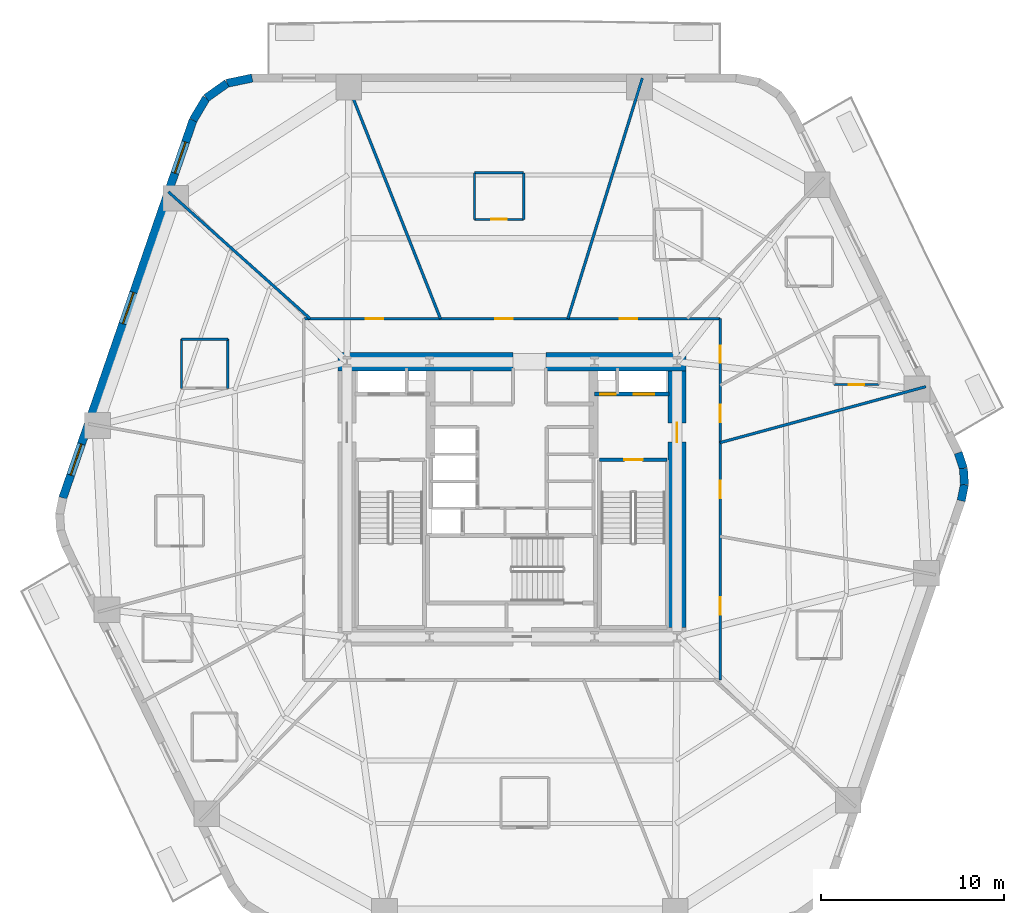
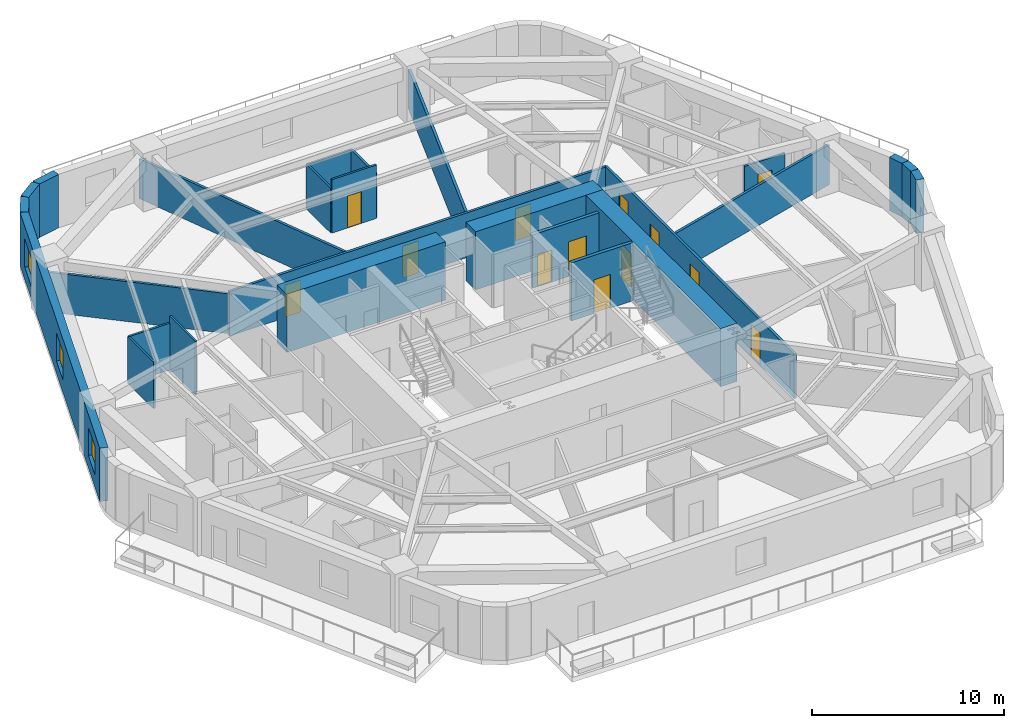
# One storey, part 5 of 10: 26 walls, 13 doors, 3 windows, 16 openings.
"""IFC4 building model written with IfcOpenShell, lengths in metres."""

from ifc_helpers import new_model, si_unit, direction, frame, frame_2d, origin, place, context, subcontext, project, spatial, rectangle, extrude, material, layer, layer_set, type_object, element, fill, save


model = new_model("IFC4")

# Units and contexts
model_context = context("Model", 3, precision=1e-05, world=origin(), true_north=direction((0.0, 1.0)))
body_context = subcontext(model_context, "Body", "Model", "MODEL_VIEW")
ifc_project = project(units=[si_unit("LENGTHUNIT", "METRE"), si_unit("AREAUNIT", "SQUARE_METRE"), si_unit("VOLUMEUNIT", "CUBIC_METRE"), si_unit("PLANEANGLEUNIT", "RADIAN"), si_unit("MASSUNIT", "GRAM", prefix="KILO")], contexts=[model_context])

# Site, building, storey
site_placement = place(None, origin())
site = spatial("IfcSite", under=ifc_project, at=site_placement, CompositionType="ELEMENT")
building_placement = place(site_placement, origin())
building = spatial("IfcBuilding", under=site, at=building_placement, Name="Kilnhurst Terrace Hotel", CompositionType="ELEMENT")
storey_placement = place(building_placement, frame((0.0, 0.0, 63.800048828125)))
storey = spatial("IfcBuildingStorey", under=building, at=storey_placement, Name="L14", CompositionType="ELEMENT", Elevation=63.800048828125)

# Walls
ifc_material_1 = material(Name="Precast concrete C40/50", Category="concrete")
ifc_layer_1 = layer(ifc_material_1, 0.449951171875, Name="Precast concrete C40/50")
ifc_layer_set_1 = layer_set([ifc_layer_1], Name="Precast concrete C40/50")
wall_type_1 = type_object("IfcWallType", Name="WL-BRK-450", PredefinedType="SOLIDWALL", material=ifc_layer_set_1)
wall_1_placement = place(storey_placement, frame((24.49560546875, -0.07666015625, 0.0), z_axis=(0.0, 0.0, 1.0), x_axis=(0.199570594521, 0.979883451132, 0.0)))
element("IfcWall", 1, at=wall_1_placement, inside=storey, type_object=wall_type_1, Name="L14 Rounded Corner Brick Wall C3.1", PredefinedType="SOLIDWALL", context=body_context, shape_type="SweptSolid", body=[
    extrude(rectangle(XDim=0.896728515625, YDim=0.449951171875, at=frame_2d((0.4482421875, 0.0))), origin(), (0.0, 0.0, 1.0), 3.39990234375),
])
wall_2_placement = place(storey_placement, frame((24.674560546875, 0.802001953125, 0.0), z_axis=(0.0, 0.0, 1.0), x_axis=(-0.061188874166, 0.998126205286, 0.0)))
element("IfcWall", 2, at=wall_2_placement, inside=storey, type_object=wall_type_1, Name="L14 Rounded Corner Brick Wall C3.2", PredefinedType="SOLIDWALL", context=body_context, shape_type="SweptSolid", body=[
    extrude(rectangle(XDim=0.8818359375, YDim=0.449951171875, at=frame_2d((0.44091796875, 0.0))), origin(), (0.0, 0.0, 1.0), 3.39990234375),
])
wall_3_placement = place(storey_placement, frame((24.62060546875, 1.68212890625, 0.0), z_axis=(0.0, 0.0, 1.0), x_axis=(-0.317697451681, 0.948192137278, 0.0)))
element("IfcWall", 3, at=wall_3_placement, inside=storey, type_object=wall_type_1, Name="L14 Rounded Corner Brick Wall C3.3", PredefinedType="SOLIDWALL", context=body_context, shape_type="SweptSolid", body=[
    extrude(rectangle(XDim=0.896728515625, YDim=0.449951171875, at=frame_2d((0.4482421875, 0.0))), origin(), (0.0, 0.0, 1.0), 3.39990234375),
])
wall_4_placement = place(storey_placement, frame((-14.168212890625, 22.97509765625, 0.0), z_axis=(0.0, 0.0, 1.0), x_axis=(-0.978770371074, -0.204959900243, 0.0)))
element("IfcWall", 4, at=wall_4_placement, inside=storey, type_object=wall_type_1, Name="L14 Rounded Corner Brick Wall C5.1", PredefinedType="SOLIDWALL", context=body_context, shape_type="SweptSolid", body=[
    extrude(rectangle(XDim=1.405517578125, YDim=0.449951171875, at=frame_2d((0.70263671875, 0.0))), origin(), (0.0, 0.0, 1.0), 3.39990234375),
])
wall_5_placement = place(storey_placement, frame((-15.5439453125, 22.68701171875, 0.0), z_axis=(0.0, 0.0, 1.0), x_axis=(-0.814210854316, -0.580569276412, 0.0)))
element("IfcWall", 5, at=wall_5_placement, inside=storey, type_object=wall_type_1, Name="L14 Rounded Corner Brick Wall C5.2", PredefinedType="SOLIDWALL", context=body_context, shape_type="SweptSolid", body=[
    extrude(rectangle(XDim=1.38134765625, YDim=0.449951171875, at=frame_2d((0.690673828125, 0.0))), origin(), (0.0, 0.0, 1.0), 3.39990234375),
])
wall_6_placement = place(storey_placement, frame((-16.668701171875, 21.885009765625, 0.0), z_axis=(0.0, 0.0, 1.0), x_axis=(-0.512936712947, -0.858426425799, 0.0)))
element("IfcWall", 6, at=wall_6_placement, inside=storey, type_object=wall_type_1, Name="L14 Rounded Corner Brick Wall C5.3", PredefinedType="SOLIDWALL", context=body_context, shape_type="SweptSolid", body=[
    extrude(rectangle(XDim=1.405517578125, YDim=0.449951171875, at=frame_2d((0.70263671875, 0.0))), origin(), (0.0, 0.0, 1.0), 3.39990234375),
])

# Wall, openings, windows
wall_7_placement = place(storey_placement, frame((-17.3896484375, 20.678466796875, 0.0), z_axis=(0.0, 0.0, 1.0), x_axis=(-0.326068018294, -0.945346310854, 0.0)))
wall_7 = element("IfcWall", 7, at=wall_7_placement, inside=storey, type_object=wall_type_1, Name="L14 Exterior Brick Facade Wall F5", PredefinedType="SOLIDWALL", context=body_context, shape_type="SweptSolid", body=[
    extrude(rectangle(XDim=21.79296875, YDim=0.449951171875, at=frame_2d((10.896484375, 0.0))), origin(), (0.0, 0.0, 1.0), 3.39990234375),
])
opening_1_placement = place(wall_7_placement, frame((1.260009765625, 0.0, 0.800048828125)))
opening_1 = element("IfcOpeningElement", 8, at=opening_1_placement, cuts=wall_7, Name="Opening W-01", PredefinedType="OPENING", context=body_context, shape_type="SweptSolid", body=[
    extrude(rectangle(XDim=1.800048828125, YDim=1.800048828125, at=frame_2d((0.89990234375, 0.89990234375))), frame((0.0, 0.23486328125, 0.0), z_axis=(0.0, -1.0, 0.0), x_axis=(1.0, 0.0, 0.0)), (0.0, 0.0, 1.0), 0.469970703125),
])
opening_2_placement = place(wall_7_placement, frame((9.943115234375, 0.0, 0.800048828125)))
opening_2 = element("IfcOpeningElement", 9, at=opening_2_placement, cuts=wall_7, Name="Opening W-01", PredefinedType="OPENING", context=body_context, shape_type="SweptSolid", body=[
    extrude(rectangle(XDim=1.800048828125, YDim=1.800048828125, at=frame_2d((0.89990234375, 0.89990234375))), frame((0.0, 0.23486328125, 0.0), z_axis=(0.0, -1.0, 0.0), x_axis=(1.0, 0.0, 0.0)), (0.0, 0.0, 1.0), 0.469970703125),
])
opening_3_placement = place(wall_7_placement, frame((18.679931640625, 0.0, 0.800048828125)))
opening_3 = element("IfcOpeningElement", 10, at=opening_3_placement, cuts=wall_7, Name="Opening W-01", PredefinedType="OPENING", context=body_context, shape_type="SweptSolid", body=[
    extrude(rectangle(XDim=1.800048828125, YDim=1.800048828125, at=frame_2d((0.89990234375, 0.89990234375))), frame((0.0, 0.23486328125, 0.0), z_axis=(0.0, -1.0, 0.0), x_axis=(1.0, 0.0, 0.0)), (0.0, 0.0, 1.0), 0.469970703125),
])
ifc_material_2 = material(Name="Thermally Broken Bronze Aluminium Alloy 6063-T6 and Low-E Glass", Category="aluminium")
window_type = type_object("IfcWindowType", Name="WIN-1800X1800", PartitioningType="SINGLE_PANEL", PredefinedType="WINDOW", material=ifc_material_2)
window_1_placement = place(opening_1_placement, origin())
window_1 = element("IfcWindow", 11, at=window_1_placement, inside=storey, type_object=window_type, Name="L14 Deep-Set Masonry Window F5.1", OverallHeight=1.800048828125, OverallWidth=1.800048828125, PartitioningType="SINGLE_PANEL", PredefinedType="WINDOW", context=body_context, shape_type="SweptSolid", body=[
    extrude(rectangle(XDim=1.800048828125, YDim=1.800048828125, at=frame_2d((0.89990234375, 0.89990234375))), frame((0.0, 0.030029296875, 0.0), z_axis=(0.0, -1.0, 0.0), x_axis=(1.0, 0.0, 0.0)), (0.0, 0.0, 1.0), 0.06005859375),
])
fill(opening_1, window_1)
window_2_placement = place(opening_2_placement, origin())
window_2 = element("IfcWindow", 12, at=window_2_placement, inside=storey, type_object=window_type, Name="L14 Deep-Set Masonry Window F5.2", OverallHeight=1.800048828125, OverallWidth=1.800048828125, PartitioningType="SINGLE_PANEL", PredefinedType="WINDOW", context=body_context, shape_type="SweptSolid", body=[
    extrude(rectangle(XDim=1.800048828125, YDim=1.800048828125, at=frame_2d((0.89990234375, 0.89990234375))), frame((0.0, 0.030029296875, 0.0), z_axis=(0.0, -1.0, 0.0), x_axis=(1.0, 0.0, 0.0)), (0.0, 0.0, 1.0), 0.06005859375),
])
fill(opening_2, window_2)
window_3_placement = place(opening_3_placement, origin())
window_3 = element("IfcWindow", 13, at=window_3_placement, inside=storey, type_object=window_type, Name="L14 Deep-Set Masonry Window F5.3", OverallHeight=1.800048828125, OverallWidth=1.800048828125, PartitioningType="SINGLE_PANEL", PredefinedType="WINDOW", context=body_context, shape_type="SweptSolid", body=[
    extrude(rectangle(XDim=1.800048828125, YDim=1.800048828125, at=frame_2d((0.89990234375, 0.89990234375))), frame((0.0, 0.030029296875, 0.0), z_axis=(0.0, -1.0, 0.0), x_axis=(1.0, 0.0, 0.0)), (0.0, 0.0, 1.0), 0.06005859375),
])
fill(opening_3, window_3)

# Wall, openings, doors
ifc_material_3 = material(Name="Acoustic Double-Gypsum Corridor Partition Assembly")
ifc_layer_2 = layer(ifc_material_3, 0.14990234375, Name="Acoustic Double-Gypsum Corridor Partition Assembly")
ifc_layer_set_2 = layer_set([ifc_layer_2], Name="Acoustic Double-Gypsum Corridor Partition Assembly")
wall_type_2 = type_object("IfcWallType", Name="WL-COR-150", PredefinedType="PARTITIONING", material=ifc_layer_set_2)
wall_8_placement = place(storey_placement, frame((-11.35009765625, 9.85009765625, 0.0), z_axis=(0.0, 0.0, 1.0), x_axis=(1.0, 0.0, 0.0)))
wall_8 = element("IfcWall", 14, at=wall_8_placement, inside=storey, type_object=wall_type_2, Name="L14 Interior Wall WL-L14-COR-02", PredefinedType="PARTITIONING", context=body_context, shape_type="SweptSolid", body=[
    extrude(rectangle(XDim=22.7001953125, YDim=0.14990234375, at=frame_2d((11.35009765625, 0.0))), origin(), (0.0, 0.0, 1.0), 2.83984375),
])
opening_4_placement = place(wall_8_placement, frame((17.22509765625, 0.0, 0.0)))
opening_4 = element("IfcOpeningElement", 15, at=opening_4_placement, cuts=wall_8, Name="Opening D-60B", PredefinedType="OPENING", context=body_context, shape_type="SweptSolid", body=[
    extrude(rectangle(XDim=0.949951171875, YDim=2.030029296875, at=frame_2d((0.47509765625, 1.01513671875))), frame((0.0, 0.0849609375, 0.0), z_axis=(0.0, -1.0, 0.0), x_axis=(1.0, 0.0, 0.0)), (0.0, 0.0, 1.0), 0.169921875),
])
opening_5_placement = place(wall_8_placement, frame((10.444091796875, 0.0, 0.0)))
opening_5 = element("IfcOpeningElement", 16, at=opening_5_placement, cuts=wall_8, Name="Opening D-60B", PredefinedType="OPENING", context=body_context, shape_type="SweptSolid", body=[
    extrude(rectangle(XDim=0.949951171875, YDim=2.030029296875, at=frame_2d((0.47509765625, 1.01513671875))), frame((0.0, 0.0849609375, 0.0), z_axis=(0.0, -1.0, 0.0), x_axis=(1.0, 0.0, 0.0)), (0.0, 0.0, 1.0), 0.169921875),
])
opening_6_placement = place(wall_8_placement, frame((3.368896484375, 0.0, 0.0)))
opening_6 = element("IfcOpeningElement", 17, at=opening_6_placement, cuts=wall_8, Name="Opening D-60B", PredefinedType="OPENING", context=body_context, shape_type="SweptSolid", body=[
    extrude(rectangle(XDim=0.949951171875, YDim=2.030029296875, at=frame_2d((0.47509765625, 1.01513671875))), frame((0.0, 0.0849609375, 0.0), z_axis=(0.0, -1.0, 0.0), x_axis=(1.0, 0.0, 0.0)), (0.0, 0.0, 1.0), 0.169921875),
])
ifc_material_4 = material(Name="Acoustic Walnut Veneer Solid-Core Fire Door")
door_type_1 = type_object("IfcDoorType", Name="DR-FD60-950", OperationType="NOTDEFINED", PredefinedType="DOOR", material=ifc_material_4)
door_1_placement = place(opening_4_placement, origin())
door_1 = element("IfcDoor", 18, at=door_1_placement, inside=storey, type_object=door_type_1, Name="L14 Executive Suite Entry Door 3", OperationType="SINGLE_SWING_LEFT", OverallHeight=2.030029296875, OverallWidth=0.949951171875, PredefinedType="DOOR", context=body_context, shape_type="SweptSolid", body=[
    extrude(rectangle(XDim=0.949951171875, YDim=2.030029296875, at=frame_2d((0.47509765625, 1.01513671875))), frame((0.0, 0.02490234375, 0.0), z_axis=(0.0, -1.0, 0.0), x_axis=(1.0, 0.0, 0.0)), (0.0, 0.0, 1.0), 0.050048828125),
])
fill(opening_4, door_1)
door_2_placement = place(opening_5_placement, origin())
door_2 = element("IfcDoor", 19, at=door_2_placement, inside=storey, type_object=door_type_1, Name="L14 Executive Suite Entry Door 4", OperationType="SINGLE_SWING_RIGHT", OverallHeight=2.030029296875, OverallWidth=0.949951171875, PredefinedType="DOOR", context=body_context, shape_type="SweptSolid", body=[
    extrude(rectangle(XDim=0.949951171875, YDim=2.030029296875, at=frame_2d((0.47509765625, 1.01513671875))), frame((0.0, 0.02490234375, 0.0), z_axis=(0.0, -1.0, 0.0), x_axis=(1.0, 0.0, 0.0)), (0.0, 0.0, 1.0), 0.050048828125),
])
fill(opening_5, door_2)
door_3_placement = place(opening_6_placement, origin())
door_3 = element("IfcDoor", 20, at=door_3_placement, inside=storey, type_object=door_type_1, Name="L14 Fitness Studio Door", OperationType="SINGLE_SWING_LEFT", OverallHeight=2.030029296875, OverallWidth=0.949951171875, PredefinedType="DOOR", context=body_context, shape_type="SweptSolid", body=[
    extrude(rectangle(XDim=0.949951171875, YDim=2.030029296875, at=frame_2d((0.47509765625, 1.01513671875))), frame((0.0, 0.02490234375, 0.0), z_axis=(0.0, -1.0, 0.0), x_axis=(1.0, 0.0, 0.0)), (0.0, 0.0, 1.0), 0.050048828125),
])
fill(opening_6, door_3)

wall_9_placement = place(storey_placement, frame((11.35009765625, 9.85009765625, 0.0), z_axis=(0.0, 0.0, 1.0), x_axis=(0.0, -1.0, 0.0)))
wall_9 = element("IfcWall", 21, at=wall_9_placement, inside=storey, type_object=wall_type_2, Name="L14 Interior Wall WL-L14-COR-03", PredefinedType="PARTITIONING", context=body_context, shape_type="SweptSolid", body=[
    extrude(rectangle(XDim=19.7001953125, YDim=0.14990234375, at=frame_2d((9.85009765625, 0.0))), origin(), (0.0, 0.0, 1.0), 2.83984375),
])
opening_7_placement = place(wall_9_placement, frame((4.7041015625, 0.0, 0.0)))
opening_7 = element("IfcOpeningElement", 22, at=opening_7_placement, cuts=wall_9, Name="Opening D-60B", PredefinedType="OPENING", context=body_context, shape_type="SweptSolid", body=[
    extrude(rectangle(XDim=0.949951171875, YDim=2.030029296875, at=frame_2d((0.47509765625, 1.01513671875))), frame((0.0, 0.0849609375, 0.0), z_axis=(0.0, -1.0, 0.0), x_axis=(1.0, 0.0, 0.0)), (0.0, 0.0, 1.0), 0.169921875),
])
opening_8_placement = place(wall_9_placement, frame((1.4619140625, 0.0, 0.0)))
opening_8 = element("IfcOpeningElement", 23, at=opening_8_placement, cuts=wall_9, Name="Opening D-60B", PredefinedType="OPENING", context=body_context, shape_type="SweptSolid", body=[
    extrude(rectangle(XDim=0.949951171875, YDim=2.030029296875, at=frame_2d((0.47509765625, 1.01513671875))), frame((0.0, 0.0849609375, 0.0), z_axis=(0.0, -1.0, 0.0), x_axis=(1.0, 0.0, 0.0)), (0.0, 0.0, 1.0), 0.169921875),
])
opening_9_placement = place(wall_9_placement, frame((15.19091796875, 0.0, 0.0)))
opening_9 = element("IfcOpeningElement", 24, at=opening_9_placement, cuts=wall_9, Name="Opening D-60B", PredefinedType="OPENING", context=body_context, shape_type="SweptSolid", body=[
    extrude(rectangle(XDim=0.949951171875, YDim=2.030029296875, at=frame_2d((0.47509765625, 1.01513671875))), frame((0.0, 0.0849609375, 0.0), z_axis=(0.0, -1.0, 0.0), x_axis=(1.0, 0.0, 0.0)), (0.0, 0.0, 1.0), 0.169921875),
])
opening_10_placement = place(wall_9_placement, frame((8.837890625, 0.0, 0.0)))
opening_10 = element("IfcOpeningElement", 25, at=opening_10_placement, cuts=wall_9, Name="Opening D-60B", PredefinedType="OPENING", context=body_context, shape_type="SweptSolid", body=[
    extrude(rectangle(XDim=0.949951171875, YDim=2.030029296875, at=frame_2d((0.47509765625, 1.01513671875))), frame((0.0, 0.0849609375, 0.0), z_axis=(0.0, -1.0, 0.0), x_axis=(1.0, 0.0, 0.0)), (0.0, 0.0, 1.0), 0.169921875),
])
door_4_placement = place(opening_7_placement, origin())
door_4 = element("IfcDoor", 26, at=door_4_placement, inside=storey, type_object=door_type_1, Name="L14 Guest Room Entry Door 1", OperationType="SINGLE_SWING_LEFT", OverallHeight=2.030029296875, OverallWidth=0.949951171875, PredefinedType="DOOR", context=body_context, shape_type="SweptSolid", body=[
    extrude(rectangle(XDim=0.949951171875, YDim=2.030029296875, at=frame_2d((0.47509765625, 1.01513671875))), frame((0.0, 0.02490234375, 0.0), z_axis=(0.0, -1.0, 0.0), x_axis=(1.0, 0.0, 0.0)), (0.0, 0.0, 1.0), 0.050048828125),
])
fill(opening_7, door_4)
door_5_placement = place(opening_8_placement, origin())
door_5 = element("IfcDoor", 27, at=door_5_placement, inside=storey, type_object=door_type_1, Name="L14 Guest Room Entry Door 2", OperationType="SINGLE_SWING_RIGHT", OverallHeight=2.030029296875, OverallWidth=0.949951171875, PredefinedType="DOOR", context=body_context, shape_type="SweptSolid", body=[
    extrude(rectangle(XDim=0.949951171875, YDim=2.030029296875, at=frame_2d((0.47509765625, 1.01513671875))), frame((0.0, 0.02490234375, 0.0), z_axis=(0.0, -1.0, 0.0), x_axis=(1.0, 0.0, 0.0)), (0.0, 0.0, 1.0), 0.050048828125),
])
fill(opening_8, door_5)
door_6_placement = place(opening_9_placement, origin())
door_6 = element("IfcDoor", 28, at=door_6_placement, inside=storey, type_object=door_type_1, Name="L14 Executive Suite Entry Door 13", OperationType="SINGLE_SWING_LEFT", OverallHeight=2.030029296875, OverallWidth=0.949951171875, PredefinedType="DOOR", context=body_context, shape_type="SweptSolid", body=[
    extrude(rectangle(XDim=0.949951171875, YDim=2.030029296875, at=frame_2d((0.47509765625, 1.01513671875))), frame((0.0, 0.02490234375, 0.0), z_axis=(0.0, -1.0, 0.0), x_axis=(1.0, 0.0, 0.0)), (0.0, 0.0, 1.0), 0.050048828125),
])
fill(opening_9, door_6)
door_7_placement = place(opening_10_placement, origin())
door_7 = element("IfcDoor", 29, at=door_7_placement, inside=storey, type_object=door_type_1, Name="L14 Club Tea Lounge Door", OperationType="SINGLE_SWING_RIGHT", OverallHeight=2.030029296875, OverallWidth=0.949951171875, PredefinedType="DOOR", context=body_context, shape_type="SweptSolid", body=[
    extrude(rectangle(XDim=0.949951171875, YDim=2.030029296875, at=frame_2d((0.47509765625, 1.01513671875))), frame((0.0, 0.02490234375, 0.0), z_axis=(0.0, -1.0, 0.0), x_axis=(1.0, 0.0, 0.0)), (0.0, 0.0, 1.0), 0.050048828125),
])
fill(opening_10, door_7)

# Walls
ifc_material_5 = material(Name="Concrete C80/95", Category="concrete")
ifc_layer_3 = layer(ifc_material_5, 1.0, Name="Concrete C80/95")
ifc_layer_set_3 = layer_set([ifc_layer_3], Name="Concrete C80/95")
wall_type_3 = type_object("IfcWallType", Name="WL-CORE-1000", PredefinedType="SHEAR", material=ifc_layer_set_3)
wall_10_placement = place(storey_placement, frame((-9.5, 7.5, 0.0), z_axis=(0.0, 0.0, 1.0), x_axis=(1.0, 0.0, 0.0)))
element("IfcWall", 30, at=wall_10_placement, inside=storey, type_object=wall_type_3, Name="L14 Core North West Shear Wall", PredefinedType="SHEAR", context=body_context, shape_type="SweptSolid", body=[
    extrude(rectangle(XDim=9.550048828125, YDim=1.0, at=frame_2d((4.77490234375, 0.0))), origin(), (0.0, 0.0, 1.0), 3.699951171875),
])
wall_11_placement = place(storey_placement, frame((1.85009765625, 7.5, 0.0), z_axis=(0.0, 0.0, 1.0), x_axis=(1.0, 0.0, 0.0)))
element("IfcWall", 31, at=wall_11_placement, inside=storey, type_object=wall_type_3, Name="L14 Core North East Shear Wall", PredefinedType="SHEAR", context=body_context, shape_type="SweptSolid", body=[
    extrude(rectangle(XDim=7.64990234375, YDim=1.0, at=frame_2d((3.824951171875, 0.0))), origin(), (0.0, 0.0, 1.0), 3.699951171875),
])

# Wall, opening, door
wall_12_placement = place(storey_placement, frame((9.0, -7.0, 0.0), z_axis=(0.0, 0.0, 1.0), x_axis=(0.0, 1.0, 0.0)))
wall_12 = element("IfcWall", 32, at=wall_12_placement, inside=storey, type_object=wall_type_3, Name="L14 Core East Shear Wall", PredefinedType="SHEAR", context=body_context, shape_type="SweptSolid", body=[
    extrude(rectangle(XDim=14.0, YDim=1.0, at=frame_2d((7.0, 0.0))), origin(), (0.0, 0.0, 1.0), 3.699951171875),
])
opening_11_placement = place(wall_12_placement, frame((10.125, 0.0, 0.0)))
opening_11 = element("IfcOpeningElement", 33, at=opening_11_placement, cuts=wall_12, Name="Opening D-90A", PredefinedType="OPENING", context=body_context, shape_type="SweptSolid", body=[
    extrude(rectangle(XDim=1.050048828125, YDim=2.14990234375, at=frame_2d((0.52490234375, 1.074951171875))), frame((0.0, 0.510009765625, 0.0), z_axis=(0.0, -1.0, 0.0), x_axis=(1.0, 0.0, 0.0)), (0.0, 0.0, 1.0), 1.02001953125),
])
ifc_material_6 = material(Name="Painted Hollow Metal Steel ASTM A36 Fire Door", Category="steel")
door_type_2 = type_object("IfcDoorType", Name="DR-FD90-1050", OperationType="NOTDEFINED", PredefinedType="DOOR", material=ifc_material_6)
door_8_placement = place(opening_11_placement, origin())
door_8 = element("IfcDoor", 34, at=door_8_placement, inside=storey, type_object=door_type_2, Name="L14 East Firefighting Lobby Door", OperationType="SINGLE_SWING_LEFT", OverallHeight=2.14990234375, OverallWidth=1.050048828125, PredefinedType="DOOR", context=body_context, shape_type="SweptSolid", body=[
    extrude(rectangle(XDim=1.050048828125, YDim=2.14990234375, at=frame_2d((0.52490234375, 1.074951171875))), frame((0.0, 0.02490234375, 0.0), z_axis=(0.0, -1.0, 0.0), x_axis=(1.0, 0.0, 0.0)), (0.0, 0.0, 1.0), 0.050048828125),
])
fill(opening_11, door_8)

# Walls
ifc_material_7 = material(Name="STC-58 Acoustic Twin-Frame Guestroom Demising Partition")
ifc_layer_4 = layer(ifc_material_7, 0.14990234375, Name="STC-58 Acoustic Twin-Frame Guestroom Demising Partition")
ifc_layer_set_4 = layer_set([ifc_layer_4], Name="STC-58 Acoustic Twin-Frame Guestroom Demising Partition")
wall_type_4 = type_object("IfcWallType", Name="WL-DEM-150", PredefinedType="PARTITIONING", material=ifc_layer_set_4)
wall_13_placement = place(storey_placement, frame((11.35009765625, 3.0908203125, 0.0), z_axis=(0.0, 0.0, 1.0), x_axis=(0.964859685283, 0.262765651704, 0.0)))
element("IfcWall", 35, at=wall_13_placement, inside=storey, type_object=wall_type_4, Name="L14 Interior Wall WL-L14-DEM-COL01-01-1", PredefinedType="PARTITIONING", context=body_context, shape_type="SweptSolid", body=[
    extrude(rectangle(XDim=11.62890625, YDim=0.14990234375, at=frame_2d((5.814453125, 0.0))), origin(), (0.0, 0.0, 1.0), 2.5400390625),
])
wall_14_placement = place(storey_placement, frame((3.047607421875, 9.85009765625, 0.0), z_axis=(0.0, 0.0, 1.0), x_axis=(0.295553992761, 0.955326037206, 0.0)))
element("IfcWall", 36, at=wall_14_placement, inside=storey, type_object=wall_type_4, Name="L14 Interior Wall WL-L14-DEM-COL03-04-1", PredefinedType="PARTITIONING", context=body_context, shape_type="SweptSolid", body=[
    extrude(rectangle(XDim=13.73876953125, YDim=0.14990234375, at=frame_2d((6.869384765625, 0.0))), origin(), (0.0, 0.0, 1.0), 2.5400390625),
])
wall_15_placement = place(storey_placement, frame((-3.90185546875, 9.85009765625, 0.0), z_axis=(0.0, 0.0, 1.0), x_axis=(-0.36828765711, 0.929711891728, 0.0)))
element("IfcWall", 37, at=wall_15_placement, inside=storey, type_object=wall_type_4, Name="L14 Interior Wall WL-L14-DEM-COL04-05-1", PredefinedType="PARTITIONING", context=body_context, shape_type="SweptSolid", body=[
    extrude(rectangle(XDim=14.1171875, YDim=0.14990234375, at=frame_2d((7.05859375, 0.0))), origin(), (0.0, 0.0, 1.0), 2.5400390625),
])
wall_16_placement = place(storey_placement, frame((-11.006591796875, 9.85009765625, 0.0), z_axis=(0.0, 0.0, 1.0), x_axis=(-0.745177305978, 0.666866390407, 0.0)))
element("IfcWall", 38, at=wall_16_placement, inside=storey, type_object=wall_type_4, Name="L14 Interior Wall WL-L14-DEM-COL05-06-1", PredefinedType="PARTITIONING", context=body_context, shape_type="SweptSolid", body=[
    extrude(rectangle(XDim=10.375244140625, YDim=0.14990234375, at=frame_2d((5.1875, 0.0))), origin(), (0.0, 0.0, 1.0), 2.5400390625),
])

# Wall, opening, door
ifc_material_8 = material(Name="120 mm Moisture-Resistant Tile-Backed Bathroom Partition")
ifc_layer_5 = layer(ifc_material_8, 0.1201171875, Name="120 mm Moisture-Resistant Tile-Backed Bathroom Partition")
ifc_layer_set_5 = layer_set([ifc_layer_5], Name="120 mm Moisture-Resistant Tile-Backed Bathroom Partition")
wall_type_5 = type_object("IfcWallType", Name="WL-PART-120", PredefinedType="PARTITIONING", material=ifc_layer_set_5)
wall_17_placement = place(storey_placement, frame((17.56689453125, 6.258056640625, 0.0), z_axis=(0.0, 0.0, 1.0), x_axis=(1.0, 0.0, 0.0)))
wall_17 = element("IfcWall", 39, at=wall_17_placement, inside=storey, type_object=wall_type_5, Name="L14 Interior Wall WL-L14-BTH-01-1", PredefinedType="PARTITIONING", context=body_context, shape_type="SweptSolid", body=[
    extrude(rectangle(XDim=2.440185546875, YDim=0.1201171875, at=frame_2d((1.22021484375, 0.0))), origin(), (0.0, 0.0, 1.0), 2.83984375),
])
opening_12_placement = place(wall_17_placement, frame((0.794921875, 0.0, 0.0)))
opening_12 = element("IfcOpeningElement", 40, at=opening_12_placement, cuts=wall_17, Name="Opening D-08A", PredefinedType="OPENING", context=body_context, shape_type="SweptSolid", body=[
    extrude(rectangle(XDim=0.85009765625, YDim=2.030029296875, at=frame_2d((0.425048828125, 1.01513671875))), frame((0.0, 0.070068359375, 0.0), z_axis=(0.0, -1.0, 0.0), x_axis=(1.0, 0.0, 0.0)), (0.0, 0.0, 1.0), 0.14013671875),
])
ifc_material_9 = material(Name="Moisture-Resistant Lacquered En-suite Bathroom Door")
door_type_3 = type_object("IfcDoorType", Name="DR-INT-850", OperationType="NOTDEFINED", PredefinedType="DOOR", material=ifc_material_9)
door_9_placement = place(opening_12_placement, origin())
door_9 = element("IfcDoor", 41, at=door_9_placement, inside=storey, type_object=door_type_3, Name="L14 En-suite Bathroom Door 1", OperationType="SINGLE_SWING_RIGHT", OverallHeight=2.030029296875, OverallWidth=0.85009765625, PredefinedType="DOOR", context=body_context, shape_type="SweptSolid", body=[
    extrude(rectangle(XDim=0.85009765625, YDim=2.030029296875, at=frame_2d((0.425048828125, 1.01513671875))), frame((0.0, 0.02490234375, 0.0), z_axis=(0.0, -1.0, 0.0), x_axis=(1.0, 0.0, 0.0)), (0.0, 0.0, 1.0), 0.050048828125),
])
fill(opening_12, door_9)

wall_18_placement = place(storey_placement, frame((-2.0419921875, 15.26708984375, 0.0), z_axis=(0.0, 0.0, 1.0), x_axis=(1.0, 0.0, 0.0)))
wall_18 = element("IfcWall", 42, at=wall_18_placement, inside=storey, type_object=wall_type_5, Name="L14 Interior Wall WL-L14-BTH-04-1", PredefinedType="PARTITIONING", context=body_context, shape_type="SweptSolid", body=[
    extrude(rectangle(XDim=2.679931640625, YDim=0.1201171875, at=frame_2d((1.33984375, 0.0))), origin(), (0.0, 0.0, 1.0), 3.39990234375),
])
opening_13_placement = place(wall_18_placement, frame((0.9150390625, 0.0, 0.0)))
opening_13 = element("IfcOpeningElement", 43, at=opening_13_placement, cuts=wall_18, Name="Opening D-08A", PredefinedType="OPENING", context=body_context, shape_type="SweptSolid", body=[
    extrude(rectangle(XDim=0.85009765625, YDim=2.030029296875, at=frame_2d((0.425048828125, 1.01513671875))), frame((0.0, 0.070068359375, 0.0), z_axis=(0.0, -1.0, 0.0), x_axis=(1.0, 0.0, 0.0)), (0.0, 0.0, 1.0), 0.14013671875),
])
door_10_placement = place(opening_13_placement, origin())
door_10 = element("IfcDoor", 44, at=door_10_placement, inside=storey, type_object=door_type_3, Name="L14 En-suite Bathroom Door 4", OperationType="SINGLE_SWING_LEFT", OverallHeight=2.030029296875, OverallWidth=0.85009765625, PredefinedType="DOOR", context=body_context, shape_type="SweptSolid", body=[
    extrude(rectangle(XDim=0.85009765625, YDim=2.030029296875, at=frame_2d((0.425048828125, 1.01513671875))), frame((0.0, 0.02490234375, 0.0), z_axis=(0.0, -1.0, 0.0), x_axis=(1.0, 0.0, 0.0)), (0.0, 0.0, 1.0), 0.050048828125),
])
fill(opening_13, door_10)

# Walls
wall_19_placement = place(storey_placement, frame((0.637939453125, 15.26708984375, 0.0), z_axis=(0.0, 0.0, 1.0), x_axis=(0.0, 1.0, 0.0)))
element("IfcWall", 45, at=wall_19_placement, inside=storey, type_object=wall_type_5, Name="L14 Interior Wall WL-L14-BTH-04-2", PredefinedType="PARTITIONING", context=body_context, shape_type="SweptSolid", body=[
    extrude(rectangle(XDim=2.539794921875, YDim=0.1201171875, at=frame_2d((1.27001953125, 0.0))), origin(), (0.0, 0.0, 1.0), 2.84033203125),
])
wall_20_placement = place(storey_placement, frame((0.637939453125, 17.806884765625, 0.0), z_axis=(0.0, 0.0, 1.0), x_axis=(-1.0, 0.0, 0.0)))
element("IfcWall", 46, at=wall_20_placement, inside=storey, type_object=wall_type_5, Name="L14 Interior Wall WL-L14-BTH-04-3", PredefinedType="PARTITIONING", context=body_context, shape_type="SweptSolid", body=[
    extrude(rectangle(XDim=2.679931640625, YDim=0.1201171875, at=frame_2d((1.33984375, 0.0))), origin(), (0.0, 0.0, 1.0), 2.84033203125),
])
wall_21_placement = place(storey_placement, frame((-2.0419921875, 17.806884765625, 0.0), z_axis=(0.0, 0.0, 1.0), x_axis=(0.0, -1.0, 0.0)))
element("IfcWall", 47, at=wall_21_placement, inside=storey, type_object=wall_type_5, Name="L14 Interior Wall WL-L14-BTH-04-4", PredefinedType="PARTITIONING", context=body_context, shape_type="SweptSolid", body=[
    extrude(rectangle(XDim=2.539794921875, YDim=0.1201171875, at=frame_2d((1.27001953125, 0.0))), origin(), (0.0, 0.0, 1.0), 2.84033203125),
])
wall_22_placement = place(storey_placement, frame((-15.49609375, 6.052978515625, 0.0), z_axis=(0.0, 0.0, 1.0), x_axis=(0.0, 1.0, 0.0)))
element("IfcWall", 48, at=wall_22_placement, inside=storey, type_object=wall_type_5, Name="L14 Interior Wall WL-L14-BTH-06-2", PredefinedType="PARTITIONING", context=body_context, shape_type="SweptSolid", body=[
    extrude(rectangle(XDim=2.679931640625, YDim=0.1201171875, at=frame_2d((1.33984375, 0.0))), origin(), (0.0, 0.0, 1.0), 3.39990234375),
])
wall_23_placement = place(storey_placement, frame((-15.49609375, 8.73291015625, 0.0), z_axis=(0.0, 0.0, 1.0), x_axis=(-1.0, 0.0, 0.0)))
element("IfcWall", 49, at=wall_23_placement, inside=storey, type_object=wall_type_5, Name="L14 Interior Wall WL-L14-BTH-06-3", PredefinedType="PARTITIONING", context=body_context, shape_type="SweptSolid", body=[
    extrude(rectangle(XDim=2.52001953125, YDim=0.1201171875, at=frame_2d((1.260009765625, 0.0))), origin(), (0.0, 0.0, 1.0), 2.97216796875),
])
wall_24_placement = place(storey_placement, frame((-18.01611328125, 8.73291015625, 0.0), z_axis=(0.0, 0.0, 1.0), x_axis=(0.0, -1.0, 0.0)))
element("IfcWall", 50, at=wall_24_placement, inside=storey, type_object=wall_type_5, Name="L14 Interior Wall WL-L14-BTH-06-4", PredefinedType="PARTITIONING", context=body_context, shape_type="SweptSolid", body=[
    extrude(rectangle(XDim=2.679931640625, YDim=0.1201171875, at=frame_2d((1.33984375, 0.0))), origin(), (0.0, 0.0, 1.0), 2.97216796875),
])

# Wall, openings, doors
ifc_material_10 = material(Name="Autoclaved Aerated Concrete C30/37 and Gypsum Shaft Assembly", Category="concrete")
ifc_layer_6 = layer(ifc_material_10, 0.199951171875, Name="Autoclaved Aerated Concrete C30/37 and Gypsum Shaft Assembly")
ifc_layer_set_6 = layer_set([ifc_layer_6], Name="Autoclaved Aerated Concrete C30/37 and Gypsum Shaft Assembly")
wall_type_6 = type_object("IfcWallType", Name="WL-SHAFT-200", PredefinedType="PARTITIONING", material=ifc_layer_set_6)
wall_25_placement = place(storey_placement, frame((4.5, 5.739990234375, 0.0), z_axis=(0.0, 0.0, 1.0), x_axis=(1.0, 0.0, 0.0)))
wall_25 = element("IfcWall", 51, at=wall_25_placement, inside=storey, type_object=wall_type_6, Name="L14 Interior Wall WL-L14-FSAE2-S", PredefinedType="PARTITIONING", context=body_context, shape_type="SweptSolid", body=[
    extrude(rectangle(XDim=4.050048828125, YDim=0.199951171875, at=frame_2d((2.02490234375, 0.0))), origin(), (0.0, 0.0, 1.0), 3.39990234375),
])
opening_14_placement = place(wall_25_placement, frame((0.300048828125, 0.0, 0.0)))
opening_14 = element("IfcOpeningElement", 52, at=opening_14_placement, cuts=wall_25, Name="Opening D-60D", PredefinedType="OPENING", context=body_context, shape_type="SweptSolid", body=[
    extrude(rectangle(XDim=0.85009765625, YDim=2.030029296875, at=frame_2d((0.425048828125, 1.01513671875))), frame((0.0, 0.10986328125, 0.0), z_axis=(0.0, -1.0, 0.0), x_axis=(1.0, 0.0, 0.0)), (0.0, 0.0, 1.0), 0.219970703125),
])
opening_15_placement = place(wall_25_placement, frame((2.14990234375, 0.0, 0.0)))
opening_15 = element("IfcOpeningElement", 53, at=opening_15_placement, cuts=wall_25, Name="Opening LD-F2", PredefinedType="OPENING", context=body_context, shape_type="SweptSolid", body=[
    extrude(rectangle(XDim=1.10009765625, YDim=2.199951171875, at=frame_2d((0.550048828125, 1.10009765625))), frame((0.0, 0.10986328125, 0.0), z_axis=(0.0, -1.0, 0.0), x_axis=(1.0, 0.0, 0.0)), (0.0, 0.0, 1.0), 0.219970703125),
])
ifc_material_11 = material(Name="Painted Hollow Metal Steel ASTM A36 Riser Door", Category="steel")
door_type_4 = type_object("IfcDoorType", Name="DR-FD60-850", OperationType="NOTDEFINED", PredefinedType="DOOR", material=ifc_material_11)
door_11_placement = place(opening_14_placement, origin())
door_11 = element("IfcDoor", 54, at=door_11_placement, inside=storey, type_object=door_type_4, Name="L14 Telecom Riser Door", OperationType="SINGLE_SWING_RIGHT", OverallHeight=2.030029296875, OverallWidth=0.85009765625, PredefinedType="DOOR", context=body_context, shape_type="SweptSolid", body=[
    extrude(rectangle(XDim=0.85009765625, YDim=2.030029296875, at=frame_2d((0.425048828125, 1.01513671875))), frame((0.0, 0.02490234375, 0.0), z_axis=(0.0, -1.0, 0.0), x_axis=(1.0, 0.0, 0.0)), (0.0, 0.0, 1.0), 0.050048828125),
])
fill(opening_14, door_11)
ifc_material_12 = material(Name="Bronze-Anodized Stainless Steel AISI 316L Sliding Door", Category="steel")
door_type_5 = type_object("IfcDoorType", Name="DR-LIFT-1100", OperationType="NOTDEFINED", PredefinedType="DOOR", material=ifc_material_12)
door_12_placement = place(opening_15_placement, origin())
door_12 = element("IfcDoor", 55, at=door_12_placement, inside=storey, type_object=door_type_5, Name="L14 FSAE-2 Landing Door", OperationType="SLIDING_TO_RIGHT", OverallHeight=2.199951171875, OverallWidth=1.10009765625, PredefinedType="DOOR", context=body_context, shape_type="SweptSolid", body=[
    extrude(rectangle(XDim=1.10009765625, YDim=2.199951171875, at=frame_2d((0.550048828125, 1.10009765625))), frame((0.0, 0.02490234375, 0.0), z_axis=(0.0, -1.0, 0.0), x_axis=(1.0, 0.0, 0.0)), (0.0, 0.0, 1.0), 0.050048828125),
])
fill(opening_15, door_12)

# Wall, opening, door
ifc_material_13 = material(Name="Concrete C50/60", Category="concrete")
ifc_layer_7 = layer(ifc_material_13, 0.199951171875, Name="Concrete C50/60")
ifc_layer_set_7 = layer_set([ifc_layer_7], Name="Concrete C50/60")
wall_type_7 = type_object("IfcWallType", Name="WL-STAIR-RC-200", PredefinedType="SHEAR", material=ifc_layer_set_7)
wall_26_placement = place(storey_placement, frame((4.77197265625, 2.157958984375, 0.0), z_axis=(0.0, 0.0, 1.0), x_axis=(1.0, 0.0, 0.0)))
wall_26 = element("IfcWall", 56, at=wall_26_placement, inside=storey, type_object=wall_type_7, Name="L14 Structural Stair Shaft Wall WL-L14-ST2-N", PredefinedType="SHEAR", context=body_context, shape_type="SweptSolid", body=[
    extrude(rectangle(XDim=3.68603515625, YDim=0.199951171875, at=frame_2d((1.843017578125, 0.0))), origin(), (0.0, 0.0, 1.0), 3.699951171875),
])
opening_16_placement = place(wall_26_placement, frame((1.35009765625, 0.0, 0.0)))
opening_16 = element("IfcOpeningElement", 57, at=opening_16_placement, cuts=wall_26, Name="Opening D-90B", PredefinedType="OPENING", context=body_context, shape_type="SweptSolid", body=[
    extrude(rectangle(XDim=1.0, YDim=2.14990234375, at=frame_2d((0.5, 1.074951171875))), frame((0.0, 0.10986328125, 0.0), z_axis=(0.0, -1.0, 0.0), x_axis=(1.0, 0.0, 0.0)), (0.0, 0.0, 1.0), 0.219970703125),
])
door_type_6 = type_object("IfcDoorType", Name="DR-FD90-1000", OperationType="NOTDEFINED", PredefinedType="DOOR", material=ifc_material_6)
door_13_placement = place(opening_16_placement, origin())
door_13 = element("IfcDoor", 58, at=door_13_placement, inside=storey, type_object=door_type_6, Name="L14 Stair ST-2 Door", OperationType="SINGLE_SWING_RIGHT", OverallHeight=2.14990234375, OverallWidth=1.0, PredefinedType="DOOR", context=body_context, shape_type="SweptSolid", body=[
    extrude(rectangle(XDim=1.0, YDim=2.14990234375, at=frame_2d((0.5, 1.074951171875))), frame((0.0, 0.02490234375, 0.0), z_axis=(0.0, -1.0, 0.0), x_axis=(1.0, 0.0, 0.0)), (0.0, 0.0, 1.0), 0.050048828125),
])
fill(opening_16, door_13)

save(model, "model.ifc")
